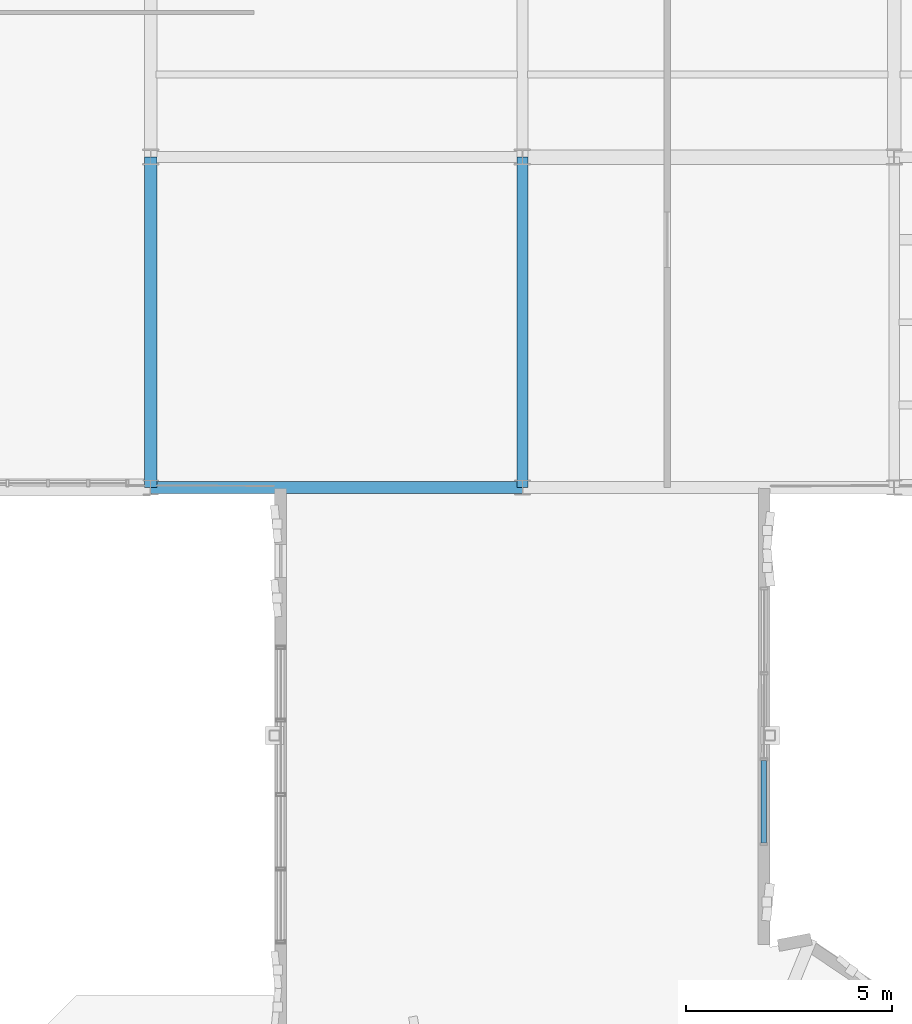
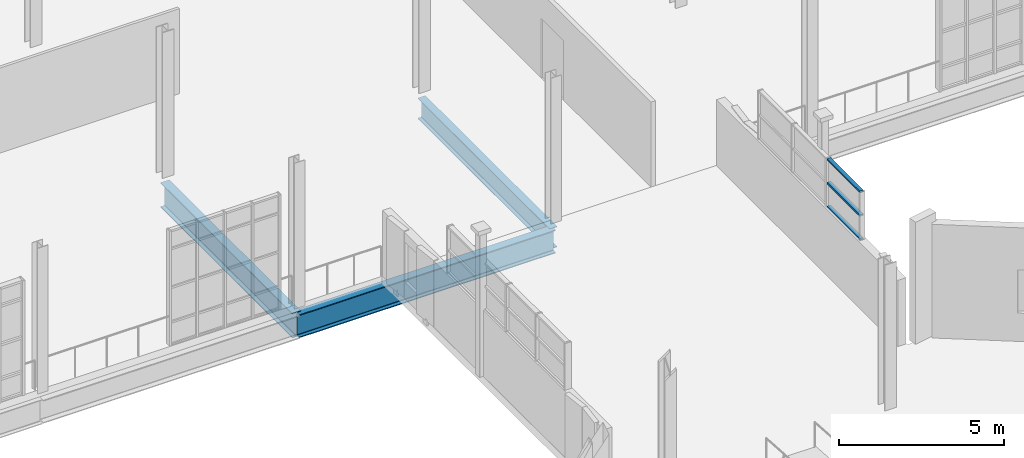
# One storey, part 47 of 142: 3 beams, 3 members, 1 element without a shape of its own.
"""IFC4 building model written with IfcOpenShell, lengths in metres."""

from ifc_helpers import new_model, si_unit, direction, frame, origin, origin_2d, place, context, subcontext, project, spatial, hollow_rectangle, i_section, extrude, material, layer, layer_set, material_profile, profile_set, type_object, element, aggregate, save


model = new_model("IFC4")

# Units and contexts
model_context = context("Model", 3, precision=1e-05, world=origin(), true_north=direction((0.0, 1.0)))
body_context = subcontext(model_context, "Body", "Model", "MODEL_VIEW")
ifc_project = project(units=[si_unit("LENGTHUNIT", "METRE"), si_unit("AREAUNIT", "SQUARE_METRE"), si_unit("VOLUMEUNIT", "CUBIC_METRE"), si_unit("PLANEANGLEUNIT", "RADIAN"), si_unit("MASSUNIT", "GRAM", prefix="KILO"), si_unit("THERMODYNAMICTEMPERATUREUNIT", "KELVIN"), si_unit("POWERUNIT", "WATT")], contexts=[model_context])

# Site, building, storey
site_placement = place(None, origin())
site = spatial("IfcSite", under=ifc_project, at=site_placement, CompositionType="ELEMENT")
building_placement = place(site_placement, origin())
building = spatial("IfcBuilding", under=site, at=building_placement, Name="Zelmaris Science Centre", CompositionType="ELEMENT")
storey_placement = place(building_placement, frame((0.0, 0.0, 5.39990234375)))
storey = spatial("IfcBuildingStorey", under=building, at=storey_placement, Name="L01", CompositionType="ELEMENT", Elevation=5.39990234375)

# Curtain wall, members
ifc_material_1 = material(Name="Anodised architectural aluminium 6063-T6", Category="aluminium")
ifc_layer = layer(ifc_material_1, 0.2099609375, Name="Anodised architectural aluminium 6063-T6")
ifc_layer_set = layer_set([ifc_layer], Name="Anodised architectural aluminium 6063-T6")
curtain_wall_type = type_object("IfcCurtainWallType", Name="Curtain Wall CW-03", PredefinedType="USERDEFINED", material=ifc_layer_set)
curtain_wall_placement = place(storey_placement, origin())
curtain_wall = element("IfcCurtainWall", 1, at=curtain_wall_placement, inside=storey, type_object=curtain_wall_type, Name="L01 Clerestory curtain wall 191", ObjectType="GLAZED CURTAIN WALL", PredefinedType="USERDEFINED")
ifc_material_profile_1 = material_profile(ifc_material_1, hollow_rectangle(XDim=0.06494140625, YDim=0.1298828125, WallThickness=0.00341796875, at=origin_2d()), Name="ALU-TRN-65X130")
ifc_profile_set_1 = profile_set([ifc_material_profile_1], Name="Anodised architectural aluminium 6063-T6")
member_type = type_object("IfcMemberType", Name="ALU-TRN-65X130", PredefinedType="USERDEFINED", material=ifc_profile_set_1)
member_1_placement = place(storey_placement, frame((86.84716796875, 57.392333984375, 2.448486328125), z_axis=(-0.001468067907, -0.999998922388, 0.0), x_axis=(0.0, 0.0, 1.0)))
member_1 = element("IfcMember", 2, at=member_1_placement, type_object=member_type, Name="CW-03 transom 3.1", ObjectType="TRANSOM", PredefinedType="USERDEFINED", context=body_context, shape_type="SweptSolid", body=[
    extrude(hollow_rectangle(XDim=0.06494140625, YDim=0.1298828125, WallThickness=0.00341796875, at=origin_2d()), origin(), (0.0, 0.0, 1.0), 1.99560546875),
])
member_2_placement = place(storey_placement, frame((86.84716796875, 57.392333984375, 3.3291015625), z_axis=(-0.001468067907, -0.999998922388, 0.0), x_axis=(0.0, 0.0, 1.0)))
member_2 = element("IfcMember", 3, at=member_2_placement, type_object=member_type, Name="CW-03 transom 3.2", ObjectType="TRANSOM", PredefinedType="USERDEFINED", context=body_context, shape_type="SweptSolid", body=[
    extrude(hollow_rectangle(XDim=0.06494140625, YDim=0.1298828125, WallThickness=0.00341796875, at=origin_2d()), origin(), (0.0, 0.0, 1.0), 1.99560546875),
])
member_3_placement = place(storey_placement, frame((86.84716796875, 57.392333984375, 4.209716796875), z_axis=(-0.001468067907, -0.999998922388, 0.0), x_axis=(0.0, 0.0, 1.0)))
member_3 = element("IfcMember", 4, at=member_3_placement, type_object=member_type, Name="CW-03 transom 3.3", ObjectType="TRANSOM", PredefinedType="USERDEFINED", context=body_context, shape_type="SweptSolid", body=[
    extrude(hollow_rectangle(XDim=0.06494140625, YDim=0.1298828125, WallThickness=0.00341796875, at=origin_2d()), origin(), (0.0, 0.0, 1.0), 1.99560546875),
])
aggregate(curtain_wall, [member_1, member_2, member_3])

# Beams
ifc_material_2 = material(Name="Steel ASTM A992 Grade 50", Category="steel")
ifc_material_profile_2 = material_profile(ifc_material_2, i_section(OverallWidth=0.304931640625, OverallDepth=0.9140625, WebThickness=0.0166015625, FlangeThickness=0.02587890625, FilletRadius=0.02392578125, at=origin_2d()), Name="W36X160")
ifc_profile_set_2 = profile_set([ifc_material_profile_2], Name="Steel ASTM A992 Grade 50")
beam_type_1 = type_object("IfcBeamType", Name="Beam G-04 W36X160", PredefinedType="BEAM", material=ifc_profile_set_2)
beam_1_placement = place(storey_placement, frame((72.0, 64.0, -0.73681640625), z_axis=(0.0, 1.0, 0.0), x_axis=(-1.0, 0.0, 0.0)))
element("IfcBeam", 5, at=beam_1_placement, inside=storey, type_object=beam_type_1, Name="L01 North-south girder 280", PredefinedType="BEAM", context=body_context, shape_type="SweptSolid", body=[
    extrude(i_section(OverallWidth=0.304931640625, OverallDepth=0.9140625, WebThickness=0.0166015625, FlangeThickness=0.02587890625, FilletRadius=0.02392578125, at=origin_2d()), origin(), (0.0, 0.0, 1.0), 8.0),
])
ifc_material_profile_3 = material_profile(ifc_material_2, i_section(OverallWidth=0.26708984375, OverallDepth=0.77001953125, WebThickness=0.015625, FlangeThickness=0.025390625, FilletRadius=0.01904296875, at=origin_2d()), Name="W30X132")
ifc_profile_set_3 = profile_set([ifc_material_profile_3], Name="Steel ASTM A992 Grade 50")
beam_type_2 = type_object("IfcBeamType", Name="Beam G-09 W30X132", PredefinedType="BEAM", material=ifc_profile_set_3)
beam_2_placement = place(storey_placement, frame((81.0, 64.0, -0.684814453125), z_axis=(0.0, 1.0, 0.0), x_axis=(-1.0, 0.0, 0.0)))
element("IfcBeam", 6, at=beam_2_placement, inside=storey, type_object=beam_type_2, Name="L01 North-south girder 283", PredefinedType="BEAM", context=body_context, shape_type="SweptSolid", body=[
    extrude(i_section(OverallWidth=0.26708984375, OverallDepth=0.77001953125, WebThickness=0.015625, FlangeThickness=0.025390625, FilletRadius=0.01904296875, at=origin_2d()), origin(), (0.0, 0.0, 1.0), 8.0),
])
ifc_material_profile_4 = material_profile(ifc_material_2, i_section(OverallWidth=0.2919921875, OverallDepth=0.85888671875, WebThickness=0.01708984375, FlangeThickness=0.031005859375, FilletRadius=0.02001953125, at=origin_2d()), Name="W33X169")
ifc_profile_set_4 = profile_set([ifc_material_profile_4], Name="Steel ASTM A992 Grade 50")
beam_type_3 = type_object("IfcBeamType", Name="Beam G-29 W33X169", PredefinedType="BEAM", material=ifc_profile_set_4)
beam_3_placement = place(storey_placement, frame((72.0, 64.0, -0.7294921875), z_axis=(1.0, 0.0, 0.0), x_axis=(0.0, 1.0, 0.0)))
element("IfcBeam", 7, at=beam_3_placement, inside=storey, type_object=beam_type_3, Name="L01 East-west girder 390", PredefinedType="BEAM", context=body_context, shape_type="SweptSolid", body=[
    extrude(i_section(OverallWidth=0.2919921875, OverallDepth=0.85888671875, WebThickness=0.01708984375, FlangeThickness=0.031005859375, FilletRadius=0.02001953125, at=origin_2d()), origin(), (0.0, 0.0, 1.0), 9.0),
])

save(model, "model.ifc")
